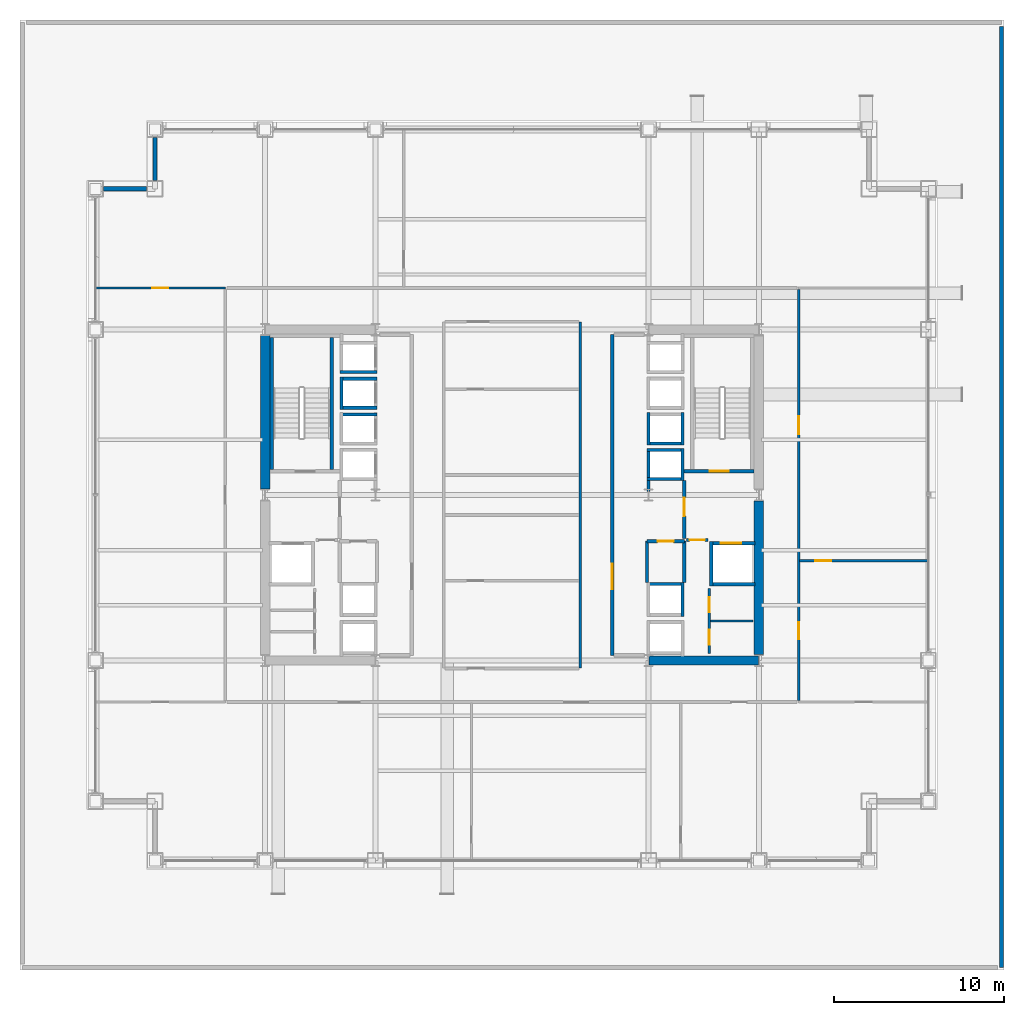
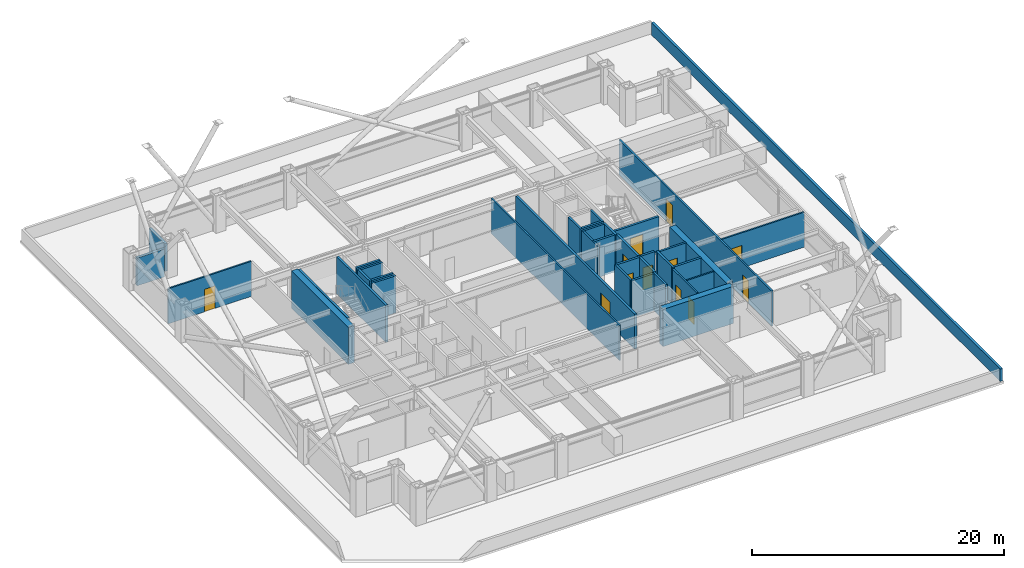
# One storey, part 31 of 33: 38 walls, 12 doors, 12 openings.
"""IFC4 building model written with IfcOpenShell, lengths in metres."""

from ifc_helpers import new_model, si_unit, direction, frame, frame_2d, origin, place, context, subcontext, project, spatial, rectangle, extrude, material, layer, layer_set, type_object, element, fill, save


model = new_model("IFC4")

# Units and contexts
model_context = context("Model", 3, precision=1e-05, world=origin(), true_north=direction((0.0, 1.0)))
body_context = subcontext(model_context, "Body", "Model", "MODEL_VIEW")
ifc_project = project(units=[si_unit("LENGTHUNIT", "METRE"), si_unit("AREAUNIT", "SQUARE_METRE"), si_unit("VOLUMEUNIT", "CUBIC_METRE"), si_unit("PLANEANGLEUNIT", "RADIAN"), si_unit("MASSUNIT", "GRAM", prefix="KILO")], contexts=[model_context])

# Site, building, storey
site_placement = place(None, origin())
site = spatial("IfcSite", under=ifc_project, at=site_placement, CompositionType="ELEMENT")
building_placement = place(site_placement, origin())
building = spatial("IfcBuilding", under=site, at=building_placement, Name="Brelmoor Portico Tower", CompositionType="ELEMENT")
storey_placement = place(building_placement, frame((0.0, 0.0, 24.0)))
storey = spatial("IfcBuildingStorey", under=building, at=storey_placement, Name="L05", CompositionType="ELEMENT", Elevation=24.0)

# Walls
ifc_material_1 = material(Name="Concrete C60", Category="concrete")
ifc_layer_1 = layer(ifc_material_1, 0.550048828125)
ifc_layer_set_1 = layer_set([ifc_layer_1], Name="Concrete C60")
wall_type_1 = type_object("IfcWallType", Name="WL-CORE-550", PredefinedType="SHEAR", material=ifc_layer_set_1)
wall_1_placement = place(storey_placement, frame((-14.550048828125, 0.35009765625, -0.199951171875), z_axis=(0.0, 0.0, 1.0), x_axis=(0.0, 1.0, 0.0)))
element("IfcWall", 1, at=wall_1_placement, inside=storey, type_object=wall_type_1, Name="L05 WC Outer North Shear Wall", PredefinedType="SHEAR", context=body_context, shape_type="SweptSolid", body=[
    extrude(rectangle(XDim=9.0498046875, YDim=0.550048828125, at=frame_2d((4.52490234375, 0.0))), origin(), (0.0, 0.0, 1.0), 3.599853515625),
])
wall_2_placement = place(storey_placement, frame((8.070068359375, -9.75, -0.199951171875), z_axis=(0.0, 0.0, 1.0), x_axis=(1.0, 0.0, 0.0)))
element("IfcWall", 2, at=wall_2_placement, inside=storey, type_object=wall_type_1, Name="L05 EC South Shear Wall", PredefinedType="SHEAR", context=body_context, shape_type="SweptSolid", body=[
    extrude(rectangle(XDim=6.4599609375, YDim=0.550048828125, at=frame_2d((3.22998046875, 0.0))), origin(), (0.0, 0.0, 1.0), 3.599853515625),
])
wall_3_placement = place(storey_placement, frame((14.550048828125, -9.39990234375, -0.199951171875), z_axis=(0.0, 0.0, 1.0), x_axis=(0.0, 1.0, 0.0)))
element("IfcWall", 3, at=wall_3_placement, inside=storey, type_object=wall_type_1, Name="L05 EC Outer South Shear Wall", PredefinedType="SHEAR", context=body_context, shape_type="SweptSolid", body=[
    extrude(rectangle(XDim=9.0498046875, YDim=0.550048828125, at=frame_2d((4.52490234375, 0.0))), origin(), (0.0, 0.0, 1.0), 3.599853515625),
])
ifc_material_2 = material(Name="Precast Concrete C40 Insulated Facade Wall", Category="concrete")
ifc_layer_2 = layer(ifc_material_2, 0.25)
ifc_layer_set_2 = layer_set([ifc_layer_2], Name="Precast Concrete C40 Insulated Facade Wall")
wall_type_2 = type_object("IfcWallType", Name="WL-EXT-250", PredefinedType="STANDARD", material=ifc_layer_set_2)
for number, where, z_axis, x_axis, name in (
    (4, (-24.06494140625, 18.050048828125, 0.0), (0.0, 0.0, 1.0), (1.0, 0.0, 0.0), "L05 Corner Notch Facade Wall NNWH1"),
    (5, (-21.050048828125, 18.534912109375, 0.0), (0.0, 0.0, 1.0), (0.0, 1.0, 0.0), "L05 Corner Notch Facade Wall NNWV1"),
):
    element("IfcWall", number, at=place(storey_placement, frame(where, z_axis=z_axis, x_axis=x_axis)), inside=storey, type_object=wall_type_2, Name=name, PredefinedType="STANDARD", context=body_context, shape_type="SweptSolid", body=[
        extrude(rectangle(XDim=2.530029296875, YDim=0.25, at=frame_2d((1.26513671875, 0.0))), origin(), (0.0, 0.0, 1.0), 2.699951171875),
    ])
ifc_material_3 = material(Name="Concrete C40 Parapet Upstand", Category="concrete")
ifc_layer_3 = layer(ifc_material_3, 0.219970703125)
ifc_layer_set_3 = layer_set([ifc_layer_3], Name="Concrete C40 Parapet Upstand")
wall_type_3 = type_object("IfcWallType", Name="WL-PARAPET-220", PredefinedType="PARAPET", material=ifc_layer_set_3)
wall_4_placement = place(storey_placement, frame((28.85009765625, -27.85009765625, 0.0), z_axis=(0.0, 0.0, 1.0), x_axis=(0.0, 1.0, 0.0)))
element("IfcWall", 6, at=wall_4_placement, inside=storey, type_object=wall_type_3, Name="L05 Roof Parapet Wall 02", PredefinedType="PARAPET", context=body_context, shape_type="SweptSolid", body=[
    extrude(rectangle(XDim=55.47998046875, YDim=0.219970703125, at=frame_2d((27.739990234375, 0.0))), origin(), (0.0, 0.0, 1.0), 1.199951171875),
])
ifc_material_4 = material(Name="Insulated Stud Suite Partition", Category="gypsum")
ifc_layer_4 = layer(ifc_material_4, 0.139892578125)
ifc_layer_set_4 = layer_set([ifc_layer_4], Name="Insulated Stud Suite Partition")
wall_type_4 = type_object("IfcWallType", Name="WL-PART-140", PredefinedType="PARTITIONING", material=ifc_layer_set_4)
wall_5_placement = place(storey_placement, frame((11.699951171875, -7.425048828125, 0.0), z_axis=(0.0, 0.0, 1.0), x_axis=(1.0, 0.0, 0.0)))
element("IfcWall", 7, at=wall_5_placement, inside=storey, type_object=wall_type_4, Name="L05 E Core WC Divider 1", PredefinedType="PARTITIONING", context=body_context, shape_type="SweptSolid", body=[
    extrude(rectangle(XDim=2.5, YDim=0.139892578125, at=frame_2d((1.25, 0.0))), origin(), (0.0, 0.0, 1.0), 3.39990234375),
])
wall_6_placement = place(storey_placement, frame((4.02001953125, -10.199951171875, 0.0), z_axis=(0.0, 0.0, 1.0), x_axis=(0.0, 1.0, 0.0)))
element("IfcWall", 8, at=wall_6_placement, inside=storey, type_object=wall_type_4, Name="L05 Central Suite East Wall", PredefinedType="PARTITIONING", context=body_context, shape_type="SweptSolid", body=[
    extrude(rectangle(XDim=20.39990234375, YDim=0.139892578125, at=frame_2d((10.199951171875, 0.0))), origin(), (0.0, 0.0, 1.0), 3.39990234375),
])

# Wall, opening, door
wall_7_placement = place(storey_placement, frame((-24.56005859375, 12.199951171875, 0.0), z_axis=(0.0, 0.0, 1.0), x_axis=(1.0, 0.0, 0.0)))
wall_7 = element("IfcWall", 9, at=wall_7_placement, inside=storey, type_object=wall_type_4, Name="L05 North Outer Closure WL", PredefinedType="PARTITIONING", context=body_context, shape_type="SweptSolid", body=[
    extrude(rectangle(XDim=7.66015625, YDim=0.139892578125, at=frame_2d((3.830078125, 0.0))), origin(), (0.0, 0.0, 1.0), 3.39990234375),
])
opening_1_placement = place(wall_7_placement, frame((3.35009765625, 0.0, 0.0)))
opening_1 = element("IfcOpeningElement", 10, at=opening_1_placement, cuts=wall_7, Name="Opening D-IN2", PredefinedType="OPENING", context=body_context, shape_type="SweptSolid", body=[
    extrude(rectangle(XDim=0.9599609375, YDim=2.179931640625, at=frame_2d((0.47998046875, 1.08984375))), frame((0.0, 0.079833984375, 0.0), z_axis=(0.0, -1.0, 0.0), x_axis=(1.0, 0.0, 0.0)), (0.0, 0.0, 1.0), 0.159912109375),
])
ifc_material_5 = material(Name="Lacquered Timber Suite Door", Category="wood")
door_type_1 = type_object("IfcDoorType", Name="DR-INT-950", OperationType="NOTDEFINED", PredefinedType="DOOR", material=ifc_material_5)
door_1_placement = place(opening_1_placement, origin())
door_1 = element("IfcDoor", 11, at=door_1_placement, inside=storey, type_object=door_type_1, Name="D-0246 L05 WL North Corner Suite Door", OperationType="SINGLE_SWING_RIGHT", OverallHeight=2.179931640625, OverallWidth=0.9599609375, PredefinedType="DOOR", context=body_context, shape_type="SweptSolid", body=[
    extrude(rectangle(XDim=0.9599609375, YDim=2.179931640625, at=frame_2d((0.47998046875, 1.08984375))), frame((0.0, 0.02490234375, 0.0), z_axis=(0.0, -1.0, 0.0), x_axis=(1.0, 0.0, 0.0)), (0.0, 0.0, 1.0), 0.050048828125),
])
fill(opening_1, door_1)

wall_8_placement = place(storey_placement, frame((16.9599609375, -3.87841796875, 0.0), z_axis=(0.0, 0.0, 1.0), x_axis=(1.0, 0.0, 0.0)))
wall_8 = element("IfcWall", 12, at=wall_8_placement, inside=storey, type_object=wall_type_4, Name="L05 E Wing Partition 1", PredefinedType="PARTITIONING", context=body_context, shape_type="SweptSolid", body=[
    extrude(rectangle(XDim=7.60009765625, YDim=0.139892578125, at=frame_2d((3.800048828125, 0.0))), origin(), (0.0, 0.0, 1.0), 3.39990234375),
])
opening_2_placement = place(wall_8_placement, frame((0.89990234375, 0.0, 0.0)))
opening_2 = element("IfcOpeningElement", 13, at=opening_2_placement, cuts=wall_8, Name="Opening D-IN2", PredefinedType="OPENING", context=body_context, shape_type="SweptSolid", body=[
    extrude(rectangle(XDim=0.9599609375, YDim=2.179931640625, at=frame_2d((0.47998046875, 1.08984375))), frame((0.0, 0.079833984375, 0.0), z_axis=(0.0, -1.0, 0.0), x_axis=(1.0, 0.0, 0.0)), (0.0, 0.0, 1.0), 0.159912109375),
])
door_2_placement = place(opening_2_placement, origin())
door_2 = element("IfcDoor", 14, at=door_2_placement, inside=storey, type_object=door_type_1, Name="D-0258 L05 E Wing Suite Connecting Door 1", OperationType="SINGLE_SWING_RIGHT", OverallHeight=2.179931640625, OverallWidth=0.9599609375, PredefinedType="DOOR", context=body_context, shape_type="SweptSolid", body=[
    extrude(rectangle(XDim=0.9599609375, YDim=2.179931640625, at=frame_2d((0.47998046875, 1.08984375))), frame((0.0, 0.02490234375, 0.0), z_axis=(0.0, -1.0, 0.0), x_axis=(1.0, 0.0, 0.0)), (0.0, 0.0, 1.0), 0.050048828125),
])
fill(opening_2, door_2)

# Wall, openings, doors
ifc_material_6 = material(Name="Twin-Frame Acoustic Partition", Category="gypsum")
ifc_layer_5 = layer(ifc_material_6, 0.159912109375)
ifc_layer_set_5 = layer_set([ifc_layer_5], Name="Twin-Frame Acoustic Partition")
wall_type_5 = type_object("IfcWallType", Name="WL-PART-160", PredefinedType="PARTITIONING", material=ifc_layer_set_5)
wall_9_placement = place(storey_placement, frame((11.6201171875, -9.35009765625, 0.0), z_axis=(0.0, 0.0, 1.0), x_axis=(0.0, 1.0, 0.0)))
wall_9 = element("IfcWall", 15, at=wall_9_placement, inside=storey, type_object=wall_type_5, Name="L05 E Core Service Front Wall", PredefinedType="PARTITIONING", context=body_context, shape_type="SweptSolid", body=[
    extrude(rectangle(XDim=3.85009765625, YDim=0.159912109375, at=frame_2d((1.925048828125, 0.0))), origin(), (0.0, 0.0, 1.0), 3.39990234375),
])
opening_3_placement = place(wall_9_placement, frame((0.512451171875, 0.0, 0.0)))
opening_3 = element("IfcOpeningElement", 16, at=opening_3_placement, cuts=wall_9, Name="Opening D-IN1", PredefinedType="OPENING", context=body_context, shape_type="SweptSolid", body=[
    extrude(rectangle(XDim=0.89990234375, YDim=2.14990234375, at=frame_2d((0.449951171875, 1.074951171875))), frame((0.0, 0.08984375, 0.0), z_axis=(0.0, -1.0, 0.0), x_axis=(1.0, 0.0, 0.0)), (0.0, 0.0, 1.0), 0.179931640625),
])
opening_4_placement = place(wall_9_placement, frame((2.4375, 0.0, 0.0)))
opening_4 = element("IfcOpeningElement", 17, at=opening_4_placement, cuts=wall_9, Name="Opening D-IN1", PredefinedType="OPENING", context=body_context, shape_type="SweptSolid", body=[
    extrude(rectangle(XDim=0.89990234375, YDim=2.14990234375, at=frame_2d((0.449951171875, 1.074951171875))), frame((0.0, 0.08984375, 0.0), z_axis=(0.0, -1.0, 0.0), x_axis=(1.0, 0.0, 0.0)), (0.0, 0.0, 1.0), 0.179931640625),
])
door_type_2 = type_object("IfcDoorType", Name="DR-INT-900", OperationType="NOTDEFINED", PredefinedType="DOOR", material=ifc_material_5)
door_3_placement = place(opening_3_placement, origin())
door_3 = element("IfcDoor", 18, at=door_3_placement, inside=storey, type_object=door_type_2, Name="D-0232 L05 E Male WC Door", OperationType="SINGLE_SWING_LEFT", OverallHeight=2.14990234375, OverallWidth=0.89990234375, PredefinedType="DOOR", context=body_context, shape_type="SweptSolid", body=[
    extrude(rectangle(XDim=0.89990234375, YDim=2.14990234375, at=frame_2d((0.449951171875, 1.074951171875))), frame((0.0, 0.02490234375, 0.0), z_axis=(0.0, -1.0, 0.0), x_axis=(1.0, 0.0, 0.0)), (0.0, 0.0, 1.0), 0.050048828125),
])
fill(opening_3, door_3)
door_4_placement = place(opening_4_placement, origin())
door_4 = element("IfcDoor", 19, at=door_4_placement, inside=storey, type_object=door_type_2, Name="D-0233 L05 E Female WC Door", OperationType="SINGLE_SWING_RIGHT", OverallHeight=2.14990234375, OverallWidth=0.89990234375, PredefinedType="DOOR", context=body_context, shape_type="SweptSolid", body=[
    extrude(rectangle(XDim=0.89990234375, YDim=2.14990234375, at=frame_2d((0.449951171875, 1.074951171875))), frame((0.0, 0.02490234375, 0.0), z_axis=(0.0, -1.0, 0.0), x_axis=(1.0, 0.0, 0.0)), (0.0, 0.0, 1.0), 0.050048828125),
])
fill(opening_4, door_4)

wall_10_placement = place(storey_placement, frame((16.89990234375, -12.1201171875, 0.0), z_axis=(0.0, 0.0, 1.0), x_axis=(0.0, 1.0, 0.0)))
wall_10 = element("IfcWall", 20, at=wall_10_placement, inside=storey, type_object=wall_type_5, Name="L05 E Wing Corridor Wall", PredefinedType="PARTITIONING", context=body_context, shape_type="SweptSolid", body=[
    extrude(rectangle(XDim=24.240234375, YDim=0.159912109375, at=frame_2d((12.1201171875, 0.0))), origin(), (0.0, 0.0, 1.0), 3.39990234375),
])
opening_5_placement = place(wall_10_placement, frame((3.61083984375, 0.0, 0.0)))
opening_5 = element("IfcOpeningElement", 21, at=opening_5_placement, cuts=wall_10, Name="Opening D-OF1", PredefinedType="OPENING", context=body_context, shape_type="SweptSolid", body=[
    extrude(rectangle(XDim=1.02001953125, YDim=2.199951171875, at=frame_2d((0.510009765625, 1.10009765625))), frame((0.0, 0.08984375, 0.0), z_axis=(0.0, -1.0, 0.0), x_axis=(1.0, 0.0, 0.0)), (0.0, 0.0, 1.0), 0.179931640625),
])
opening_6_placement = place(wall_10_placement, frame((15.710693359375, 0.0, 0.0)))
opening_6 = element("IfcOpeningElement", 22, at=opening_6_placement, cuts=wall_10, Name="Opening D-OF2", PredefinedType="OPENING", context=body_context, shape_type="SweptSolid", body=[
    extrude(rectangle(XDim=1.06005859375, YDim=2.199951171875, at=frame_2d((0.530029296875, 1.10009765625))), frame((0.0, 0.08984375, 0.0), z_axis=(0.0, -1.0, 0.0), x_axis=(1.0, 0.0, 0.0)), (0.0, 0.0, 1.0), 0.179931640625),
])
ifc_material_7 = material(Name="Hardwood Acoustic Veneer Door", Category="wood")
door_type_3 = type_object("IfcDoorType", Name="DR-OFFICE-1000", OperationType="NOTDEFINED", PredefinedType="DOOR", material=ifc_material_7)
door_5_placement = place(opening_5_placement, origin())
door_5 = element("IfcDoor", 23, at=door_5_placement, inside=storey, type_object=door_type_3, Name="D-0256 L05 E Client Reception Room 1 Door", OperationType="SINGLE_SWING_LEFT", OverallHeight=2.199951171875, OverallWidth=1.02001953125, PredefinedType="DOOR", context=body_context, shape_type="SweptSolid", body=[
    extrude(rectangle(XDim=1.02001953125, YDim=2.199951171875, at=frame_2d((0.510009765625, 1.10009765625))), frame((0.0, 0.02490234375, 0.0), z_axis=(0.0, -1.0, 0.0), x_axis=(1.0, 0.0, 0.0)), (0.0, 0.0, 1.0), 0.050048828125),
])
fill(opening_5, door_5)
door_type_4 = type_object("IfcDoorType", Name="DR-OFFICE-1050", OperationType="NOTDEFINED", PredefinedType="DOOR", material=ifc_material_7)
door_6_placement = place(opening_6_placement, origin())
door_6 = element("IfcDoor", 24, at=door_6_placement, inside=storey, type_object=door_type_4, Name="D-0257 L05 E Technical Archive Store 2 Door", OperationType="SINGLE_SWING_RIGHT", OverallHeight=2.199951171875, OverallWidth=1.06005859375, PredefinedType="DOOR", context=body_context, shape_type="SweptSolid", body=[
    extrude(rectangle(XDim=1.06005859375, YDim=2.199951171875, at=frame_2d((0.530029296875, 1.10009765625))), frame((0.0, 0.02490234375, 0.0), z_axis=(0.0, -1.0, 0.0), x_axis=(1.0, 0.0, 0.0)), (0.0, 0.0, 1.0), 0.050048828125),
])
fill(opening_6, door_6)

# Wall, opening, door
ifc_material_8 = material(Name="Double-Stud Gypsum Fire Partition", Category="gypsum")
ifc_layer_6 = layer(ifc_material_8, 0.199951171875)
ifc_layer_set_6 = layer_set([ifc_layer_6], Name="Double-Stud Gypsum Fire Partition")
wall_type_6 = type_object("IfcWallType", Name="WL-PART-200", PredefinedType="PARTITIONING", material=ifc_layer_set_6)
wall_11_placement = place(storey_placement, frame((5.89990234375, -9.449951171875, 0.0), z_axis=(0.0, 0.0, 1.0), x_axis=(0.0, 1.0, 0.0)))
wall_11 = element("IfcWall", 25, at=wall_11_placement, inside=storey, type_object=wall_type_6, Name="L05 E Core Lobby Compartment Wall", PredefinedType="PARTITIONING", context=body_context, shape_type="SweptSolid", body=[
    extrude(rectangle(XDim=18.89990234375, YDim=0.199951171875, at=frame_2d((9.449951171875, 0.0))), origin(), (0.0, 0.0, 1.0), 3.39990234375),
])
opening_7_placement = place(wall_11_placement, frame((3.89990234375, 0.0, 0.0)))
opening_7 = element("IfcOpeningElement", 26, at=opening_7_placement, cuts=wall_11, Name="Opening D-LB1", PredefinedType="OPENING", context=body_context, shape_type="SweptSolid", body=[
    extrude(rectangle(XDim=1.5, YDim=2.199951171875, at=frame_2d((0.75, 1.10009765625))), frame((0.0, 0.10986328125, 0.0), z_axis=(0.0, -1.0, 0.0), x_axis=(1.0, 0.0, 0.0)), (0.0, 0.0, 1.0), 0.219970703125),
])
ifc_material_9 = material(Name="Double-Leaf Glazed Steel Fire Door", Category="steel")
door_type_5 = type_object("IfcDoorType", Name="DR-LOBBY-1500", OperationType="NOTDEFINED", PredefinedType="DOOR", material=ifc_material_9)
door_7_placement = place(opening_7_placement, origin())
door_7 = element("IfcDoor", 27, at=door_7_placement, inside=storey, type_object=door_type_5, Name="D-0243 L05 E Lift Lobby Main Door", OperationType="DOUBLE_DOOR_SINGLE_SWING", OverallHeight=2.199951171875, OverallWidth=1.5, PredefinedType="DOOR", context=body_context, shape_type="SweptSolid", body=[
    extrude(rectangle(XDim=1.5, YDim=2.199951171875, at=frame_2d((0.75, 1.10009765625))), frame((0.0, 0.02490234375, 0.0), z_axis=(0.0, -1.0, 0.0), x_axis=(1.0, 0.0, 0.0)), (0.0, 0.0, 1.0), 0.050048828125),
])
fill(opening_7, door_7)

wall_12_placement = place(storey_placement, frame((10.159912109375, -2.550048828125, 0.0), z_axis=(0.0, 0.0, 1.0), x_axis=(0.0, 1.0, 0.0)))
wall_12 = element("IfcWall", 28, at=wall_12_placement, inside=storey, type_object=wall_type_6, Name="L05 E Firefighting Lobby Wall", PredefinedType="PARTITIONING", context=body_context, shape_type="SweptSolid", body=[
    extrude(rectangle(XDim=3.400146484375, YDim=0.199951171875, at=frame_2d((1.7001953125, 0.0))), origin(), (0.0, 0.0, 1.0), 3.39990234375),
])
opening_8_placement = place(wall_12_placement, frame((1.300048828125, 0.0, 0.0)))
opening_8 = element("IfcOpeningElement", 29, at=opening_8_placement, cuts=wall_12, Name="Opening D-FR1", PredefinedType="OPENING", context=body_context, shape_type="SweptSolid", body=[
    extrude(rectangle(XDim=1.10009765625, YDim=2.14990234375, at=frame_2d((0.550048828125, 1.074951171875))), frame((0.0, 0.10986328125, 0.0), z_axis=(0.0, -1.0, 0.0), x_axis=(1.0, 0.0, 0.0)), (0.0, 0.0, 1.0), 0.219970703125),
])
ifc_material_10 = material(Name="Painted Galvanised Steel Fire Door", Category="steel")
door_type_6 = type_object("IfcDoorType", Name="DR-FIRE-1100", OperationType="NOTDEFINED", PredefinedType="DOOR", material=ifc_material_10)
door_8_placement = place(opening_8_placement, origin())
door_8 = element("IfcDoor", 30, at=door_8_placement, inside=storey, type_object=door_type_6, Name="D-0241 L05 E Firefighting Lobby Door", OperationType="SINGLE_SWING_RIGHT", OverallHeight=2.14990234375, OverallWidth=1.10009765625, PredefinedType="DOOR", context=body_context, shape_type="SweptSolid", body=[
    extrude(rectangle(XDim=1.10009765625, YDim=2.14990234375, at=frame_2d((0.550048828125, 1.074951171875))), frame((0.0, 0.02490234375, 0.0), z_axis=(0.0, -1.0, 0.0), x_axis=(1.0, 0.0, 0.0)), (0.0, 0.0, 1.0), 0.050048828125),
])
fill(opening_8, door_8)

wall_13_placement = place(storey_placement, frame((10.280029296875, -2.64990234375, 0.0), z_axis=(0.0, 0.0, 1.0), x_axis=(1.0, 0.0, 0.0)))
wall_13 = element("IfcWall", 31, at=wall_13_placement, inside=storey, type_object=wall_type_6, Name="L05 E Firefighting Lobby South Wall", PredefinedType="PARTITIONING", context=body_context, shape_type="SweptSolid", body=[
    extrude(rectangle(XDim=1.27001953125, YDim=0.199951171875, at=frame_2d((0.635009765625, 0.0))), origin(), (0.0, 0.0, 1.0), 3.39990234375),
])
opening_9_placement = place(wall_13_placement, frame((0.18505859375, 0.0, 0.0)))
opening_9 = element("IfcOpeningElement", 32, at=opening_9_placement, cuts=wall_13, Name="Opening D-IN1", PredefinedType="OPENING", context=body_context, shape_type="SweptSolid", body=[
    extrude(rectangle(XDim=0.89990234375, YDim=2.14990234375, at=frame_2d((0.449951171875, 1.074951171875))), frame((0.0, 0.10986328125, 0.0), z_axis=(0.0, -1.0, 0.0), x_axis=(1.0, 0.0, 0.0)), (0.0, 0.0, 1.0), 0.219970703125),
])
door_9_placement = place(opening_9_placement, origin())
door_9 = element("IfcDoor", 33, at=door_9_placement, inside=storey, type_object=door_type_2, Name="D-0234 L05 E Core Service Vestibule Door", OperationType="SINGLE_SWING_LEFT", OverallHeight=2.14990234375, OverallWidth=0.89990234375, PredefinedType="DOOR", context=body_context, shape_type="SweptSolid", body=[
    extrude(rectangle(XDim=0.89990234375, YDim=2.14990234375, at=frame_2d((0.449951171875, 1.074951171875))), frame((0.0, 0.02490234375, 0.0), z_axis=(0.0, -1.0, 0.0), x_axis=(1.0, 0.0, 0.0)), (0.0, 0.0, 1.0), 0.050048828125),
])
fill(opening_9, door_9)

wall_14_placement = place(storey_placement, frame((7.9599609375, -2.719970703125, 0.0), z_axis=(0.0, 0.0, 1.0), x_axis=(1.0, 0.0, 0.0)))
wall_14 = element("IfcWall", 34, at=wall_14_placement, inside=storey, type_object=wall_type_6, Name="L05 E Electrical Switchgear Closet Wall", PredefinedType="PARTITIONING", context=body_context, shape_type="SweptSolid", body=[
    extrude(rectangle(XDim=2.199951171875, YDim=0.199951171875, at=frame_2d((1.10009765625, 0.0))), origin(), (0.0, 0.0, 1.0), 3.39990234375),
])
opening_10_placement = place(wall_14_placement, frame((0.6201171875, 0.0, 0.0)))
opening_10 = element("IfcOpeningElement", 35, at=opening_10_placement, cuts=wall_14, Name="Opening D-FR4", PredefinedType="OPENING", context=body_context, shape_type="SweptSolid", body=[
    extrude(rectangle(XDim=0.949951171875, YDim=2.10009765625, at=frame_2d((0.47509765625, 1.050048828125))), frame((0.0, 0.10986328125, 0.0), z_axis=(0.0, -1.0, 0.0), x_axis=(1.0, 0.0, 0.0)), (0.0, 0.0, 1.0), 0.219970703125),
])
ifc_material_11 = material(Name="Painted Galvanised Steel Riser Door", Category="steel")
door_type_7 = type_object("IfcDoorType", Name="DR-FIRE-950", OperationType="NOTDEFINED", PredefinedType="DOOR", material=ifc_material_11)
door_10_placement = place(opening_10_placement, origin())
door_10 = element("IfcDoor", 36, at=door_10_placement, inside=storey, type_object=door_type_7, Name="D-0239 L05 E Electrical Switchgear Closet Door", OperationType="SINGLE_SWING_RIGHT", OverallHeight=2.10009765625, OverallWidth=0.949951171875, PredefinedType="DOOR", context=body_context, shape_type="SweptSolid", body=[
    extrude(rectangle(XDim=0.949951171875, YDim=2.10009765625, at=frame_2d((0.47509765625, 1.050048828125))), frame((0.0, 0.02490234375, 0.0), z_axis=(0.0, -1.0, 0.0), x_axis=(1.0, 0.0, 0.0)), (0.0, 0.0, 1.0), 0.050048828125),
])
fill(opening_10, door_10)

# Walls
for number, where, z_axis, x_axis, name in (
    (37, (7.9599609375, -5.159912109375, 0.0), (0.0, 0.0, 1.0), (0.0, 1.0, 0.0), "L05 E Electrical Switchgear Closet Inner Wall"),
    (38, (10.159912109375, -5.159912109375, 0.0), (0.0, 0.0, 1.0), (0.0, 1.0, 0.0), "L05 E Electrical Switchgear Closet Outer Wall"),
):
    element("IfcWall", number, at=place(storey_placement, frame(where, z_axis=z_axis, x_axis=x_axis)), inside=storey, type_object=wall_type_6, Name=name, PredefinedType="PARTITIONING", context=body_context, shape_type="SweptSolid", body=[
        extrude(rectangle(XDim=2.43994140625, YDim=0.199951171875, at=frame_2d((1.219970703125, 0.0))), origin(), (0.0, 0.0, 1.0), 3.39990234375),
    ])
ifc_material_12 = material(Name="Precast Concrete C40", Category="concrete")
ifc_layer_7 = layer(ifc_material_12, 0.18994140625)
ifc_layer_set_7 = layer_set([ifc_layer_7], Name="Precast Concrete C40")
wall_type_7 = type_object("IfcWallType", Name="WL-SHAFT-180", PredefinedType="SOLIDWALL", material=ifc_layer_set_7)
wall_15_placement = place(storey_placement, frame((-10.14990234375, 4.7548828125, -0.199951171875), z_axis=(0.0, 0.0, 1.0), x_axis=(1.0, 0.0, 0.0)))
element("IfcWall", 39, at=wall_15_placement, inside=storey, type_object=wall_type_7, Name="L05 Lift PL2 Hoistway North Wall", PredefinedType="SOLIDWALL", context=body_context, shape_type="SweptSolid", body=[
    extrude(rectangle(XDim=2.199951171875, YDim=0.18994140625, at=frame_2d((1.10009765625, 0.0))), origin(), (0.0, 0.0, 1.0), 3.599853515625),
])
wall_16_placement = place(storey_placement, frame((-10.054931640625, 5.050048828125, -0.199951171875), z_axis=(0.0, 0.0, 1.0), x_axis=(0.0, 1.0, 0.0)))
element("IfcWall", 40, at=wall_16_placement, inside=storey, type_object=wall_type_7, Name="L05 Lift PL3 Hoistway Back Wall", PredefinedType="SOLIDWALL", context=body_context, shape_type="SweptSolid", body=[
    extrude(rectangle(XDim=1.89990234375, YDim=0.18994140625, at=frame_2d((0.949951171875, 0.0))), origin(), (0.0, 0.0, 1.0), 3.599853515625),
])
for number, where, z_axis, x_axis, name in (
    (41, (-10.14990234375, 6.85498046875, -0.199951171875), (0.0, 0.0, 1.0), (1.0, 0.0, 0.0), "L05 Lift PL3 Hoistway North Wall"),
    (42, (-10.14990234375, 5.14501953125, -0.199951171875), (0.0, 0.0, 1.0), (1.0, 0.0, 0.0), "L05 Lift PL3 Hoistway South Wall"),
    (43, (-10.14990234375, 7.2451171875, -0.199951171875), (0.0, 0.0, 1.0), (1.0, 0.0, 0.0), "L05 Lift PL4 Hoistway South Wall"),
):
    element("IfcWall", number, at=place(storey_placement, frame(where, z_axis=z_axis, x_axis=x_axis)), inside=storey, type_object=wall_type_7, Name=name, PredefinedType="SOLIDWALL", context=body_context, shape_type="SweptSolid", body=[
        extrude(rectangle(XDim=2.199951171875, YDim=0.18994140625, at=frame_2d((1.10009765625, 0.0))), origin(), (0.0, 0.0, 1.0), 3.599853515625),
    ])
wall_17_placement = place(storey_placement, frame((8.044921875, 0.2099609375, -0.199951171875), z_axis=(0.0, 0.0, 1.0), x_axis=(0.0, 1.0, 0.0)))
element("IfcWall", 44, at=wall_17_placement, inside=storey, type_object=wall_type_7, Name="L05 Lift PM1 Hoistway Front Wall", PredefinedType="SOLIDWALL", context=body_context, shape_type="SweptSolid", body=[
    extrude(rectangle(XDim=2.5400390625, YDim=0.18994140625, at=frame_2d((1.27001953125, 0.0))), origin(), (0.0, 0.0, 1.0), 3.599853515625),
])
wall_18_placement = place(storey_placement, frame((10.054931640625, 0.85009765625, -0.199951171875), z_axis=(0.0, 0.0, 1.0), x_axis=(0.0, 1.0, 0.0)))
element("IfcWall", 45, at=wall_18_placement, inside=storey, type_object=wall_type_7, Name="L05 Lift PM1 Hoistway Back Wall", PredefinedType="SOLIDWALL", context=body_context, shape_type="SweptSolid", body=[
    extrude(rectangle(XDim=1.89990234375, YDim=0.18994140625, at=frame_2d((0.949951171875, 0.0))), origin(), (0.0, 0.0, 1.0), 3.599853515625),
])
for number, where, z_axis, x_axis, name in (
    (46, (7.949951171875, 2.655029296875, -0.199951171875), (0.0, 0.0, 1.0), (1.0, 0.0, 0.0), "L05 Lift PM1 Hoistway North Wall"),
    (47, (7.949951171875, 0.945068359375, -0.199951171875), (0.0, 0.0, 1.0), (1.0, 0.0, 0.0), "L05 Lift PM1 Hoistway South Wall"),
):
    element("IfcWall", number, at=place(storey_placement, frame(where, z_axis=z_axis, x_axis=x_axis)), inside=storey, type_object=wall_type_7, Name=name, PredefinedType="SOLIDWALL", context=body_context, shape_type="SweptSolid", body=[
        extrude(rectangle(XDim=2.199951171875, YDim=0.18994140625, at=frame_2d((1.10009765625, 0.0))), origin(), (0.0, 0.0, 1.0), 3.599853515625),
    ])
for number, where, z_axis, x_axis, name in (
    (48, (8.044921875, 2.949951171875, -0.199951171875), (0.0, 0.0, 1.0), (0.0, 1.0, 0.0), "L05 Lift PM2 Hoistway Front Wall"),
    (49, (10.054931640625, 2.949951171875, -0.199951171875), (0.0, 0.0, 1.0), (0.0, 1.0, 0.0), "L05 Lift PM2 Hoistway Back Wall"),
):
    element("IfcWall", number, at=place(storey_placement, frame(where, z_axis=z_axis, x_axis=x_axis)), inside=storey, type_object=wall_type_7, Name=name, PredefinedType="SOLIDWALL", context=body_context, shape_type="SweptSolid", body=[
        extrude(rectangle(XDim=1.900146484375, YDim=0.18994140625, at=frame_2d((0.9501953125, 0.0))), origin(), (0.0, 0.0, 1.0), 3.599853515625),
    ])
wall_19_placement = place(storey_placement, frame((7.949951171875, 3.044921875, -0.199951171875), z_axis=(0.0, 0.0, 1.0), x_axis=(1.0, 0.0, 0.0)))
element("IfcWall", 50, at=wall_19_placement, inside=storey, type_object=wall_type_7, Name="L05 Lift PM2 Hoistway South Wall", PredefinedType="SOLIDWALL", context=body_context, shape_type="SweptSolid", body=[
    extrude(rectangle(XDim=2.199951171875, YDim=0.18994140625, at=frame_2d((1.10009765625, 0.0))), origin(), (0.0, 0.0, 1.0), 3.599853515625),
])
wall_20_placement = place(storey_placement, frame((10.054931640625, -7.14990234375, -0.199951171875), z_axis=(0.0, 0.0, 1.0), x_axis=(0.0, 1.0, 0.0)))
element("IfcWall", 51, at=wall_20_placement, inside=storey, type_object=wall_type_7, Name="L05 Lift PH4 Hoistway Back Wall", PredefinedType="SOLIDWALL", context=body_context, shape_type="SweptSolid", body=[
    extrude(rectangle(XDim=2.0, YDim=0.18994140625, at=frame_2d((1.0, 0.0))), origin(), (0.0, 0.0, 1.0), 3.599853515625),
])
wall_21_placement = place(storey_placement, frame((7.949951171875, -5.2451171875, -0.199951171875), z_axis=(0.0, 0.0, 1.0), x_axis=(1.0, 0.0, 0.0)))
element("IfcWall", 52, at=wall_21_placement, inside=storey, type_object=wall_type_7, Name="L05 Lift PH4 Hoistway North Wall", PredefinedType="SOLIDWALL", context=body_context, shape_type="SweptSolid", body=[
    extrude(rectangle(XDim=2.199951171875, YDim=0.18994140625, at=frame_2d((1.10009765625, 0.0))), origin(), (0.0, 0.0, 1.0), 3.599853515625),
])

# Wall, opening, door
wall_22_placement = place(storey_placement, frame((11.64990234375, -2.844970703125, -0.199951171875), z_axis=(0.0, 0.0, 1.0), x_axis=(1.0, 0.0, 0.0)))
wall_22 = element("IfcWall", 53, at=wall_22_placement, inside=storey, type_object=wall_type_7, Name="L05 Lift FF2 Hoistway Front Wall", PredefinedType="SOLIDWALL", context=body_context, shape_type="SweptSolid", body=[
    extrude(rectangle(XDim=2.68017578125, YDim=0.18994140625, at=frame_2d((1.340087890625, 0.0))), origin(), (0.0, 0.0, 1.0), 3.599853515625),
])
opening_11_placement = place(wall_22_placement, frame((0.64990234375, 0.0, 0.199951171875)))
opening_11 = element("IfcOpeningElement", 54, at=opening_11_placement, cuts=wall_22, Name="Opening LD-02", PredefinedType="OPENING", context=body_context, shape_type="SweptSolid", body=[
    extrude(rectangle(XDim=1.199951171875, YDim=2.199951171875, at=frame_2d((0.60009765625, 1.10009765625))), frame((0.0, 0.10498046875, 0.0), z_axis=(0.0, -1.0, 0.0), x_axis=(1.0, 0.0, 0.0)), (0.0, 0.0, 1.0), 0.2099609375),
])
ifc_material_13 = material(Name="Brushed Stainless Steel Firefighting Lift Door", Category="steel")
door_type_8 = type_object("IfcDoorType", Name="DR-LIFT-1200", OperationType="NOTDEFINED", PredefinedType="DOOR", material=ifc_material_13)
door_11_placement = place(opening_11_placement, origin())
door_11 = element("IfcDoor", 55, at=door_11_placement, inside=storey, type_object=door_type_8, Name="D-0261 L05 Lift FF2 Sliding Landing Door", OperationType="SLIDING_TO_LEFT", OverallHeight=2.199951171875, OverallWidth=1.199951171875, PredefinedType="DOOR", context=body_context, shape_type="SweptSolid", body=[
    extrude(rectangle(XDim=1.199951171875, YDim=2.199951171875, at=frame_2d((0.60009765625, 1.10009765625))), frame((0.0, 0.02490234375, 0.0), z_axis=(0.0, -1.0, 0.0), x_axis=(1.0, 0.0, 0.0)), (0.0, 0.0, 1.0), 0.050048828125),
])
fill(opening_11, door_11)

# Walls
wall_23_placement = place(storey_placement, frame((11.64990234375, -5.2548828125, -0.199951171875), z_axis=(0.0, 0.0, 1.0), x_axis=(1.0, 0.0, 0.0)))
element("IfcWall", 56, at=wall_23_placement, inside=storey, type_object=wall_type_7, Name="L05 Firefighting Lift FF2 South Wall", PredefinedType="SOLIDWALL", context=body_context, shape_type="SweptSolid", body=[
    extrude(rectangle(XDim=2.68017578125, YDim=0.18994140625, at=frame_2d((1.340087890625, 0.0))), origin(), (0.0, 0.0, 1.0), 3.599853515625),
])
wall_24_placement = place(storey_placement, frame((11.7451171875, -5.35009765625, -0.199951171875), z_axis=(0.0, 0.0, 1.0), x_axis=(0.0, 1.0, 0.0)))
element("IfcWall", 57, at=wall_24_placement, inside=storey, type_object=wall_type_7, Name="L05 Firefighting Lift FF2 Inner Wall", PredefinedType="SOLIDWALL", context=body_context, shape_type="SweptSolid", body=[
    extrude(rectangle(XDim=2.60009765625, YDim=0.18994140625, at=frame_2d((1.300048828125, 0.0))), origin(), (0.0, 0.0, 1.0), 3.599853515625),
])
ifc_material_14 = material(Name="Concrete C40", Category="concrete")
ifc_layer_8 = layer(ifc_material_14, 0.199951171875)
ifc_layer_set_8 = layer_set([ifc_layer_8], Name="Concrete C40")
wall_type_8 = type_object("IfcWallType", Name="WL-SHAFT-RC200", PredefinedType="SOLIDWALL", material=ifc_layer_set_8)
for number, where, z_axis, x_axis, name in (
    (58, (-14.14990234375, 1.5, -0.199951171875), (0.0, 0.0, 1.0), (0.0, 1.0, 0.0), "L05 ST-W Structural Stair Wall Outer"),
    (59, (-10.6298828125, 1.5, -0.199951171875), (0.0, 0.0, 1.0), (0.0, 1.0, 0.0), "L05 ST-W Structural Stair Wall Inner"),
):
    element("IfcWall", number, at=place(storey_placement, frame(where, z_axis=z_axis, x_axis=x_axis)), inside=storey, type_object=wall_type_8, Name=name, PredefinedType="SOLIDWALL", context=body_context, shape_type="SweptSolid", body=[
        extrude(rectangle(XDim=7.800048828125, YDim=0.199951171875, at=frame_2d((3.89990234375, 0.0))), origin(), (0.0, 0.0, 1.0), 3.599853515625),
    ])

# Wall, opening, door
wall_25_placement = place(storey_placement, frame((10.14990234375, 1.39990234375, -0.199951171875), z_axis=(0.0, 0.0, 1.0), x_axis=(1.0, 0.0, 0.0)))
wall_25 = element("IfcWall", 60, at=wall_25_placement, inside=storey, type_object=wall_type_8, Name="L05 ST-E Structural Stair Wall S", PredefinedType="SOLIDWALL", context=body_context, shape_type="SweptSolid", body=[
    extrude(rectangle(XDim=4.10009765625, YDim=0.199951171875, at=frame_2d((2.050048828125, 0.0))), origin(), (0.0, 0.0, 1.0), 3.599853515625),
])
opening_12_placement = place(wall_25_placement, frame((1.5, 0.0, 0.199951171875)))
opening_12 = element("IfcOpeningElement", 61, at=opening_12_placement, cuts=wall_25, Name="Opening D-ST1", PredefinedType="OPENING", context=body_context, shape_type="SweptSolid", body=[
    extrude(rectangle(XDim=1.1201171875, YDim=2.179931640625, at=frame_2d((0.56005859375, 1.08984375))), frame((0.0, 0.10986328125, 0.0), z_axis=(0.0, -1.0, 0.0), x_axis=(1.0, 0.0, 0.0)), (0.0, 0.0, 1.0), 0.219970703125),
])
door_type_9 = type_object("IfcDoorType", Name="DR-STAIR-1100", OperationType="NOTDEFINED", PredefinedType="DOOR", material=ifc_material_10)
door_12_placement = place(opening_12_placement, origin())
door_12 = element("IfcDoor", 62, at=door_12_placement, inside=storey, type_object=door_type_9, Name="D-0252 L05 ST-E Protected Exit Stair Door", OperationType="SINGLE_SWING_RIGHT", OverallHeight=2.179931640625, OverallWidth=1.1201171875, PredefinedType="DOOR", context=body_context, shape_type="SweptSolid", body=[
    extrude(rectangle(XDim=1.1201171875, YDim=2.179931640625, at=frame_2d((0.56005859375, 1.08984375))), frame((0.0, 0.02490234375, 0.0), z_axis=(0.0, -1.0, 0.0), x_axis=(1.0, 0.0, 0.0)), (0.0, 0.0, 1.0), 0.050048828125),
])
fill(opening_12, door_12)

save(model, "model.ifc")
